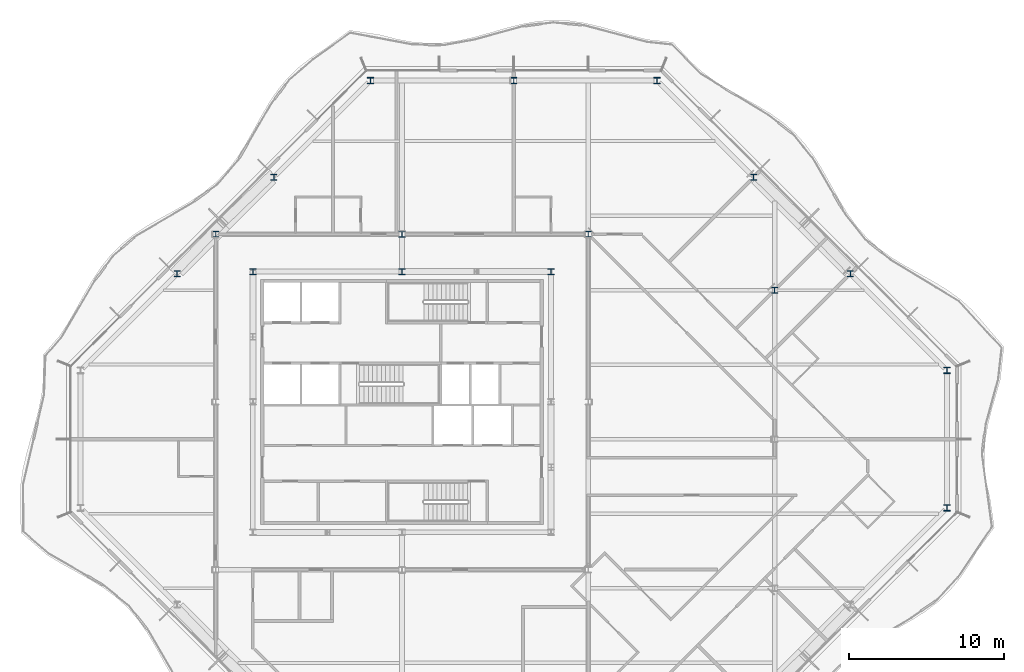
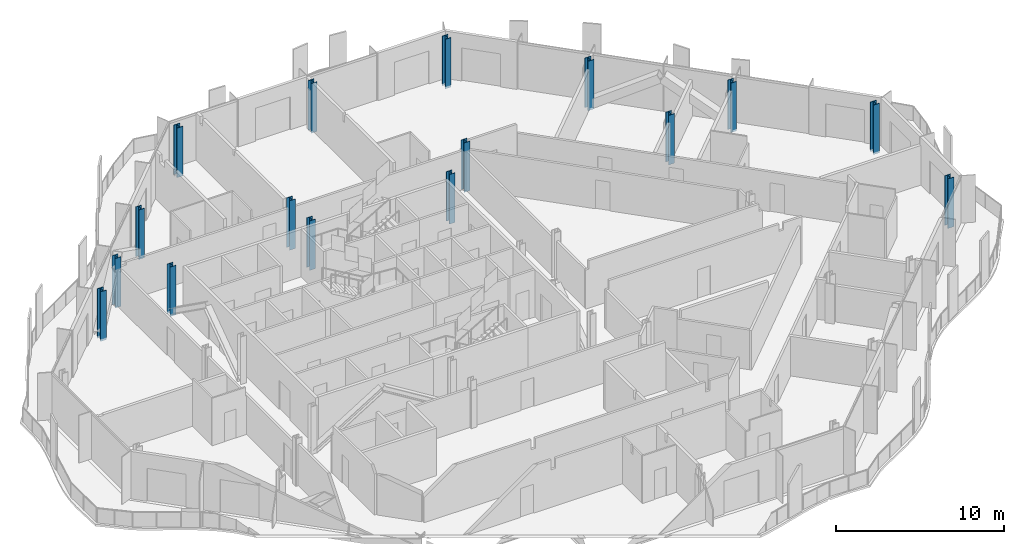
# One storey, part 2 of 17: 16 columns.
"""IFC4 building model written with IfcOpenShell, lengths in metres."""

import ifcopenshell
import ifcopenshell.guid

model = None  # the IFC model being written
_history = None  # IfcOwnerHistory: only IFC2X3 demands one
_inside = {}  # id of a spatial element -> (the spatial element, [elements in it])
_under = {}  # id of a project, library or spatial element -> (it, [spatial elements below it])
_declared = {}  # id of a project -> (the project, [libraries it declares])
_typed = {}  # id of a type object -> (the type object, [elements of that type])
_made_of = {}  # id of a material, layer set ... -> (it, [elements and type objects made of it])


def new_model(schema):
    """Start an empty IFC model of exactly this schema.

    Asked for "IFC4X3", IfcOpenShell would pick the latest addendum, in which some entities
    have other attributes; the version numbers below select the first issue.
    IFC2X3 requires an IfcOwnerHistory on every rooted entity: one is made here for all.
    """
    global model, _history
    if schema == "IFC4X3":
        model = ifcopenshell.file(schema_version=(4, 3, 0, 0))
    else:
        model = ifcopenshell.file(schema=schema)
    _inside.clear()
    _under.clear()
    _declared.clear()
    _typed.clear()
    _made_of.clear()
    _history = None
    if model.schema == "IFC2X3":
        org = make("IfcOrganization", Name="unknown")
        user = make(
            "IfcPersonAndOrganization",
            ThePerson=make("IfcPerson", FamilyName="unknown"),
            TheOrganization=org,
        )
        app = make(
            "IfcApplication",
            ApplicationDeveloper=org,
            Version="unknown",
            ApplicationFullName="unknown",
            ApplicationIdentifier="unknown",
        )
        _history = make(
            "IfcOwnerHistory",
            OwningUser=user,
            OwningApplication=app,
            ChangeAction="ADDED",
            CreationDate=0,
        )
    return model


def make(cls, **values):
    """One entity of the class cls with the attributes given. An attribute that is None is left unset."""
    return model.create_entity(
        cls, **{name: value for name, value in values.items() if value is not None}
    )


def rooted(cls, **values):
    """An entity with a GlobalId (a new one), such as an element, a storey or a relation."""
    return make(cls, GlobalId=ifcopenshell.guid.new(), OwnerHistory=_history, **values)


def si_unit(unit_type, name, prefix=None):
    """IfcSIUnit, for example si_unit("LENGTHUNIT", "METRE", prefix="MILLI")."""
    return make("IfcSIUnit", UnitType=unit_type, Prefix=prefix, Name=name)


def assignment(units):
    """IfcUnitAssignment: the units of a project."""
    return None if units is None else make("IfcUnitAssignment", Units=units)


def point(xyz):
    """IfcCartesianPoint."""
    return None if xyz is None else make("IfcCartesianPoint", Coordinates=xyz)


def direction(xyz):
    """IfcDirection."""
    return None if xyz is None else make("IfcDirection", DirectionRatios=xyz)


def frame(location, z_axis=None, x_axis=None):
    """IfcAxis2Placement3D, a coordinate frame: its origin and axes. An axis left out is left unset."""
    return make(
        "IfcAxis2Placement3D",
        Location=point(location),
        Axis=direction(z_axis),
        RefDirection=direction(x_axis),
    )


def frame_2d(location, x_axis=None):
    """IfcAxis2Placement2D, a coordinate frame in the plane: its origin and x axis."""
    return make(
        "IfcAxis2Placement2D", Location=point(location), RefDirection=direction(x_axis)
    )


def origin():
    """The frame at (0, 0, 0) with its axes left unset."""
    return frame((0.0, 0.0, 0.0))


def origin_2d():
    """The frame at (0, 0) in the plane with its x axis left unset."""
    return frame_2d((0.0, 0.0))


def place(relative_to, where):
    """IfcLocalPlacement: puts the frame where relative to a parent placement (None: the world)."""
    return make(
        "IfcLocalPlacement", PlacementRelTo=relative_to, RelativePlacement=where
    )


def context(
    kind, dimensions, precision=None, world=None, true_north=None, identifier=None
):
    """IfcGeometricRepresentationContext, for example the 3D "Model" context."""
    return make(
        "IfcGeometricRepresentationContext",
        ContextIdentifier=identifier,
        ContextType=kind,
        CoordinateSpaceDimension=dimensions,
        Precision=precision,
        WorldCoordinateSystem=world,
        TrueNorth=true_north,
    )


def subcontext(parent, identifier, kind, view, scale=None):
    """IfcGeometricRepresentationSubContext, for example "Body" below "Model"."""
    return make(
        "IfcGeometricRepresentationSubContext",
        ContextIdentifier=identifier,
        ContextType=kind,
        ParentContext=parent,
        TargetScale=scale,
        TargetView=view,
    )


def project(units=None, contexts=None):
    """IfcProject with its units and contexts."""
    return rooted(
        "IfcProject",
        Name="project",
        RepresentationContexts=contexts,
        UnitsInContext=assignment(units),
    )


def spatial(cls, under=None, at=None, **own):
    """A site, building, storey or space (cls), placed at a placement, below another one or the project."""
    s = rooted(cls, ObjectPlacement=at, **own)
    if under is not None:
        _under.setdefault(under.id(), (under, []))[1].append(s)
    return s


def profile(cls, at=None, kind="AREA", **sizes):
    """A parametric profile (cls). Its sizes go by their IFC names, for example OverallWidth=200.0."""
    return make(cls, ProfileType=kind, Position=at, **sizes)


def i_section(**sizes):
    """IfcIShapeProfileDef."""
    return profile("IfcIShapeProfileDef", **sizes)


def extrude(swept, where, along, depth):
    """IfcExtrudedAreaSolid: the profile swept, set in the frame where, extruded along a direction by depth."""
    return make(
        "IfcExtrudedAreaSolid",
        SweptArea=swept,
        Position=where,
        ExtrudedDirection=direction(along),
        Depth=depth,
    )


def shape(context_of_items, identifier, shape_type, items):
    """IfcShapeRepresentation: the items that make up one representation, for example the "Body"."""
    return make(
        "IfcShapeRepresentation",
        ContextOfItems=context_of_items,
        RepresentationIdentifier=identifier,
        RepresentationType=shape_type,
        Items=items,
    )


def material(Name=None, Category=None):
    """IfcMaterial."""
    return make("IfcMaterial", Name=Name, Category=Category)


def material_profile(
    of_material, cross_section, Name=None, Category=None, Priority=None
):
    """IfcMaterialProfile: a cross section and its material."""
    return make(
        "IfcMaterialProfile",
        Name=Name,
        Material=of_material,
        Profile=cross_section,
        Priority=Priority,
        Category=Category,
    )


def profile_set(profiles, Name=None, composite=None):
    """IfcMaterialProfileSet."""
    return make(
        "IfcMaterialProfileSet",
        Name=Name,
        MaterialProfiles=profiles,
        CompositeProfile=composite,
    )


def made_of(thing, what):
    """Note that an element or type object is made of a material, layer set ...; save() writes the relation."""
    if what is not None:
        _made_of.setdefault(what.id(), (what, []))[1].append(thing)
    return thing


def type_object(cls, material=None, **own):
    """A type object (cls), such as IfcWallType, which elements share."""
    return made_of(rooted(cls, **own), material)


def element(
    cls,
    number,
    at=None,
    inside=None,
    cuts=None,
    type_object=None,
    material=None,
    context=None,
    identifier="Body",
    shape_type=None,
    held_by="IfcProductDefinitionShape",
    body=None,
    shapes=None,
    **own,
):
    """One element of the class cls, such as IfcWall. Its Tag is "e" and its number.

    at: its placement. inside: the storey or other place that contains it. cuts: it is an
    opening in that element (IfcRelVoidsElement). A single representation is given by context,
    identifier, shape_type and body (its items); several are given by shapes. held_by: the class
    of the entity that holds the representations. save() writes the other relations.
    """
    e = rooted(cls, Tag="e%d" % number, ObjectPlacement=at, **own)
    if body is not None:
        shapes = [shape(context, identifier, shape_type, body)]
    if shapes is not None:
        e.Representation = make(held_by, Representations=shapes)
    if inside is not None:
        _inside.setdefault(inside.id(), (inside, []))[1].append(e)
    if cuts is not None:
        rooted(
            "IfcRelVoidsElement", RelatingBuildingElement=cuts, RelatedOpeningElement=e
        )
    if type_object is not None:
        _typed.setdefault(type_object.id(), (type_object, []))[1].append(e)
    return made_of(e, material)


def aggregate(whole, parts):
    """IfcRelAggregates: a whole, such as a stair, and the parts it consists of."""
    return rooted("IfcRelAggregates", RelatingObject=whole, RelatedObjects=parts)


def save(model, path):
    """Write the relations noted so far, then the file.

    IfcRelAggregates (storeys below a building ...), IfcRelContainedInSpatialStructure (elements
    in a storey), IfcRelDefinesByType, IfcRelAssociatesMaterial and IfcRelDeclares: one each for
    every whole, place, type object, material and project.
    """
    for whole, parts in _under.values():
        aggregate(whole, parts)
    for where, things in _inside.values():
        rooted(
            "IfcRelContainedInSpatialStructure",
            RelatedElements=things,
            RelatingStructure=where,
        )
    for kind, things in _typed.values():
        rooted("IfcRelDefinesByType", RelatedObjects=things, RelatingType=kind)
    for what, things in _made_of.values():
        rooted("IfcRelAssociatesMaterial", RelatedObjects=things, RelatingMaterial=what)
    for by, libraries in _declared.values():
        rooted("IfcRelDeclares", RelatingContext=by, RelatedDefinitions=libraries)
    model.write(path)


model = new_model("IFC4")

# Units and contexts
model_context = context("Model", 3, precision=1e-05, world=origin(), true_north=direction((0.0, 1.0)))
body_context = subcontext(model_context, "Body", "Model", "MODEL_VIEW")
ifc_project = project(units=[si_unit("LENGTHUNIT", "METRE"), si_unit("AREAUNIT", "SQUARE_METRE"), si_unit("VOLUMEUNIT", "CUBIC_METRE"), si_unit("PLANEANGLEUNIT", "RADIAN"), si_unit("MASSUNIT", "GRAM", prefix="KILO")], contexts=[model_context])

# Site, building, storey
site_placement = place(None, origin())
site = spatial("IfcSite", under=ifc_project, at=site_placement, CompositionType="ELEMENT")
building_placement = place(site_placement, origin())
building = spatial("IfcBuilding", under=site, at=building_placement, Name="Cairn Pilgrim Tower", CompositionType="ELEMENT")
storey_placement = place(building_placement, frame((0.0, 0.0, 239.39990234375)))
storey = spatial("IfcBuildingStorey", under=building, at=storey_placement, Name="L61", CompositionType="ELEMENT", Elevation=239.39990234375)

# Columns
ifc_material_1 = material(Name="Structural steel S355J2", Category="steel")
ifc_material_profile_1 = material_profile(ifc_material_1, i_section(OverallWidth=0.39404296875, OverallDepth=0.375, WebThickness=0.017333984375, FlangeThickness=0.027587890625, FilletRadius=0.014892578125, at=origin_2d()), Name="HD 400x216")
ifc_profile_set_1 = profile_set([ifc_material_profile_1], Name="Structural steel S355J2")
column_type_1 = type_object("IfcColumnType", Name="HD 400x216", PredefinedType="COLUMN", material=ifc_profile_set_1)
for number, where, z_axis, x_axis, name in (
    (1, (-4.800048828125, 13.199951171875, -0.14990234375), (0.0, 0.0, 1.0), (1.0, 0.0, 0.0), "IC-6"),
    (2, (7.199951171875, 13.199951171875, -0.14990234375), (0.0, 0.0, 1.0), (1.0, 0.0, 0.0), "IC-7"),
    (3, (19.199951171875, 13.199951171875, -0.14990234375), (0.0, 0.0, 1.0), (1.0, 0.0, 0.0), "IC-8"),
):
    element("IfcColumn", number, at=place(storey_placement, frame(where, z_axis=z_axis, x_axis=x_axis)), inside=storey, type_object=column_type_1, Name=name, PredefinedType="COLUMN", context=body_context, shape_type="SweptSolid", body=[
        extrude(i_section(OverallWidth=0.39404296875, OverallDepth=0.375, WebThickness=0.017333984375, FlangeThickness=0.027587890625, FilletRadius=0.014892578125, at=origin_2d()), origin(), (0.0, 0.0, 1.0), 3.60009765625),
    ])
ifc_material_profile_2 = material_profile(ifc_material_1, i_section(OverallWidth=0.39794921875, OverallDepth=0.386962890625, WebThickness=0.02099609375, FlangeThickness=0.033203125, FilletRadius=0.014892578125, at=origin_2d()), Name="HD 400x262")
ifc_profile_set_2 = profile_set([ifc_material_profile_2], Name="Structural steel S355J2")
column_type_2 = type_object("IfcColumnType", Name="HD 400x262", PredefinedType="COLUMN", material=ifc_profile_set_2)
for number, where, z_axis, x_axis, name in (
    (4, (-2.39990234375, 10.800048828125, -0.14990234375), (0.0, 0.0, 1.0), (1.0, 0.0, 0.0), "KC-6"),
    (5, (7.199951171875, 10.800048828125, -0.14990234375), (0.0, 0.0, 1.0), (1.0, 0.0, 0.0), "KC-7"),
    (6, (16.800048828125, 10.800048828125, -0.14990234375), (0.0, 0.0, 1.0), (1.0, 0.0, 0.0), "KC-8"),
):
    element("IfcColumn", number, at=place(storey_placement, frame(where, z_axis=z_axis, x_axis=x_axis)), inside=storey, type_object=column_type_2, Name=name, PredefinedType="COLUMN", context=body_context, shape_type="SweptSolid", body=[
        extrude(i_section(OverallWidth=0.39794921875, OverallDepth=0.386962890625, WebThickness=0.02099609375, FlangeThickness=0.033203125, FilletRadius=0.014892578125, at=origin_2d()), origin(), (0.0, 0.0, 1.0), 3.60009765625),
    ])
ifc_material_profile_3 = material_profile(ifc_material_1, i_section(OverallWidth=0.39892578125, OverallDepth=0.39306640625, WebThickness=0.022705078125, FlangeThickness=0.03662109375, FilletRadius=0.014892578125, at=origin_2d()), Name="HD 400x287")
ifc_profile_set_3 = profile_set([ifc_material_profile_3], Name="Structural steel S355J2")
column_type_3 = type_object("IfcColumnType", Name="HD 400x287", PredefinedType="COLUMN", material=ifc_profile_set_3)
column_placement = place(storey_placement, frame((31.199951171875, 9.60009765625, -0.14990234375), z_axis=(0.0, 0.0, 1.0), x_axis=(1.0, 0.0, 0.0)))
element("IfcColumn", 7, at=column_placement, inside=storey, type_object=column_type_3, Name="WC-WE+2", PredefinedType="COLUMN", context=body_context, shape_type="SweptSolid", body=[
    extrude(i_section(OverallWidth=0.39892578125, OverallDepth=0.39306640625, WebThickness=0.022705078125, FlangeThickness=0.03662109375, FilletRadius=0.014892578125, at=origin_2d()), origin(), (0.0, 0.0, 1.0), 3.60009765625),
])
ifc_material_2 = material(Name="Structural steel S460M", Category="steel")
ifc_material_profile_4 = material_profile(ifc_material_2, i_section(OverallWidth=0.404052734375, OverallDepth=0.406982421875, WebThickness=0.027099609375, FlangeThickness=0.043701171875, FilletRadius=0.014892578125, at=origin_2d()), Name="HD 400x347")
ifc_profile_set_4 = profile_set([ifc_material_profile_4], Name="Structural steel S460M")
column_type_4 = type_object("IfcColumnType", Name="HD 400x347", PredefinedType="COLUMN", material=ifc_profile_set_4)
for number, where, z_axis, x_axis, name in (
    (8, (42.300048828125, -4.42724609375, -0.14990234375), (0.0, 0.0, 1.0), (1.0, 0.0, 0.0), "PC3-E1"),
    (9, (42.300048828125, 4.42724609375, -0.14990234375), (0.0, 0.0, 1.0), (1.0, 0.0, 0.0), "PC3-NE1"),
    (10, (36.07568359375, 10.651611328125, -0.14990234375), (0.0, 0.0, 1.0), (1.0, 0.0, 0.0), "PC3-NE2"),
    (11, (29.8515625, 16.875732421875, -0.14990234375), (0.0, 0.0, 1.0), (1.0, 0.0, 0.0), "PC3-NE3"),
    (12, (23.627197265625, 23.10009765625, -0.14990234375), (0.0, 0.0, 1.0), (1.0, 0.0, 0.0), "PC3-N1"),
    (13, (14.39990234375, 23.10009765625, -0.14990234375), (0.0, 0.0, 1.0), (1.0, 0.0, 0.0), "PC3-N2"),
    (14, (5.1728515625, 23.10009765625, -0.14990234375), (0.0, 0.0, 1.0), (1.0, 0.0, 0.0), "PC3-NW1"),
    (15, (-1.051513671875, 16.875732421875, -0.14990234375), (0.0, 0.0, 1.0), (1.0, 0.0, 0.0), "PC3-NW2"),
    (16, (-7.275634765625, 10.651611328125, -0.14990234375), (0.0, 0.0, 1.0), (1.0, 0.0, 0.0), "PC3-NW3"),
):
    element("IfcColumn", number, at=place(storey_placement, frame(where, z_axis=z_axis, x_axis=x_axis)), inside=storey, type_object=column_type_4, Name=name, PredefinedType="COLUMN", context=body_context, shape_type="SweptSolid", body=[
        extrude(i_section(OverallWidth=0.404052734375, OverallDepth=0.406982421875, WebThickness=0.027099609375, FlangeThickness=0.043701171875, FilletRadius=0.014892578125, at=origin_2d()), origin(), (0.0, 0.0, 1.0), 3.60009765625),
    ])

save(model, "model.ifc")
